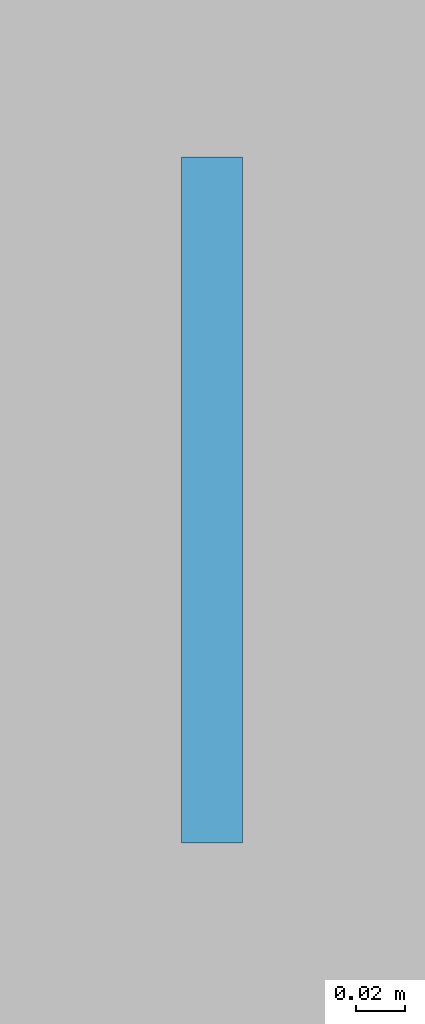
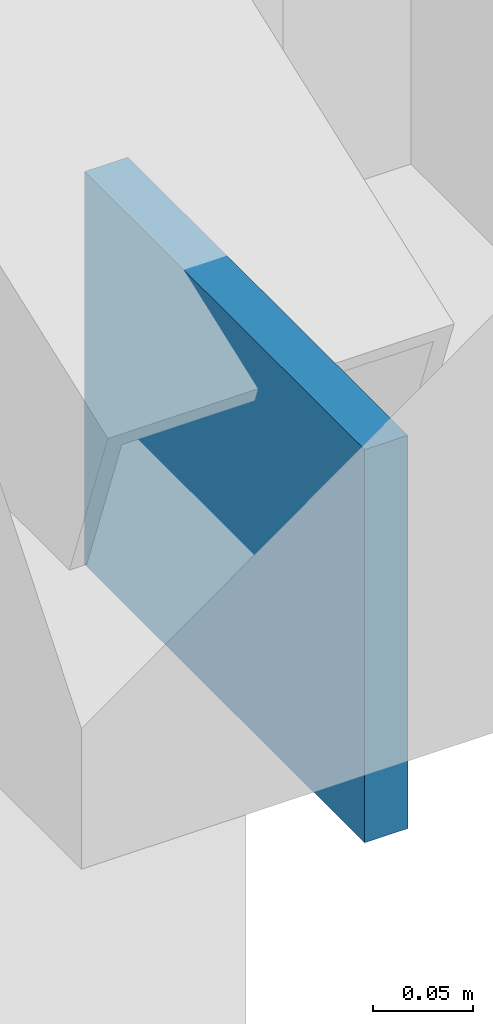
# One storey, part 105 of 130: 1 plate.
"""IFC4 building model written with IfcOpenShell, lengths in metres."""

from ifc_helpers import new_model, si_unit, direction, frame, origin, origin_2d, place, context, subcontext, project, spatial, rectangle, extrude, material, layer, layer_set, type_object, element, save


model = new_model("IFC4")

# Units and contexts
model_context = context("Model", 3, precision=1e-05, world=origin(), true_north=direction((0.0, 1.0)))
body_context = subcontext(model_context, "Body", "Model", "MODEL_VIEW")
ifc_project = project(units=[si_unit("LENGTHUNIT", "METRE"), si_unit("AREAUNIT", "SQUARE_METRE"), si_unit("VOLUMEUNIT", "CUBIC_METRE"), si_unit("PLANEANGLEUNIT", "RADIAN"), si_unit("MASSUNIT", "GRAM", prefix="KILO")], contexts=[model_context])

# Site, building, storey
site_placement = place(None, origin())
site = spatial("IfcSite", under=ifc_project, at=site_placement, CompositionType="ELEMENT")
building_placement = place(site_placement, origin())
building = spatial("IfcBuilding", under=site, at=building_placement, Name="Karori Crest Natural Sciences Institute", CompositionType="ELEMENT")
storey_placement = place(building_placement, frame((0.0, 0.0, 17.5)))
storey = spatial("IfcBuildingStorey", under=building, at=storey_placement, Name="L04", CompositionType="ELEMENT", Elevation=17.5)

# Plate
ifc_material = material(Name="Structural steel AS/NZS 3679.1 Grade 350", Category="steel")
ifc_layer = layer(ifc_material, 0.02490234375, Name="Structural steel AS/NZS 3679.1 Grade 350")
ifc_layer_set = layer_set([ifc_layer], Name="Structural steel AS/NZS 3679.1 Grade 350")
plate_type = type_object("IfcPlateType", Name="PLT-06-EL", PredefinedType="SHEET", material=ifc_layer_set)
plate_placement = place(storey_placement, frame((27.199951171875, 95.0, -0.10986328125), z_axis=(0.0, 0.0, 1.0), x_axis=(0.0, 1.0, 0.0)))
element("IfcPlate", 1, at=plate_placement, inside=storey, type_object=plate_type, Name="Brace gusset plate EP-0378", PredefinedType="SHEET", context=body_context, shape_type="SweptSolid", body=[
    extrude(rectangle(XDim=0.280029296875, YDim=0.02490234375, at=origin_2d()), origin(), (0.0, 0.0, 1.0), 0.239990234375),
])

save(model, "model.ifc")
